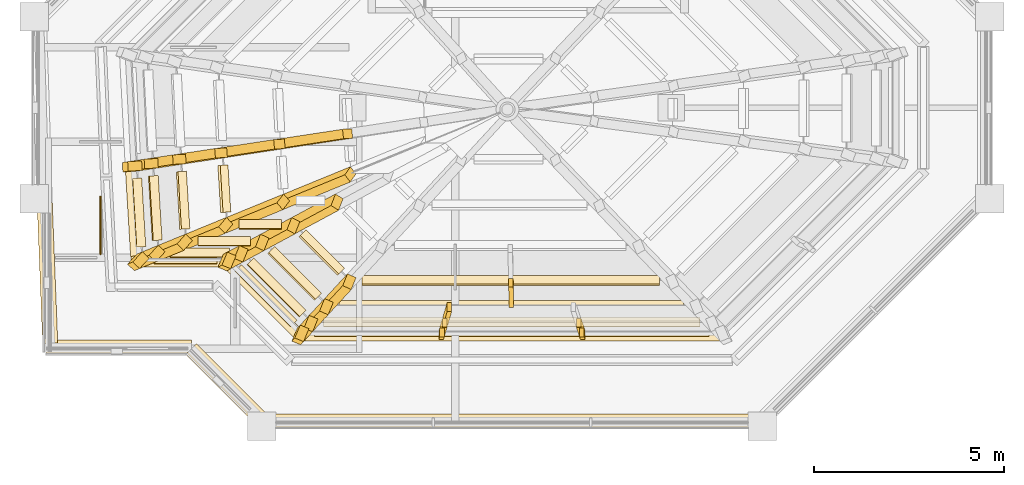
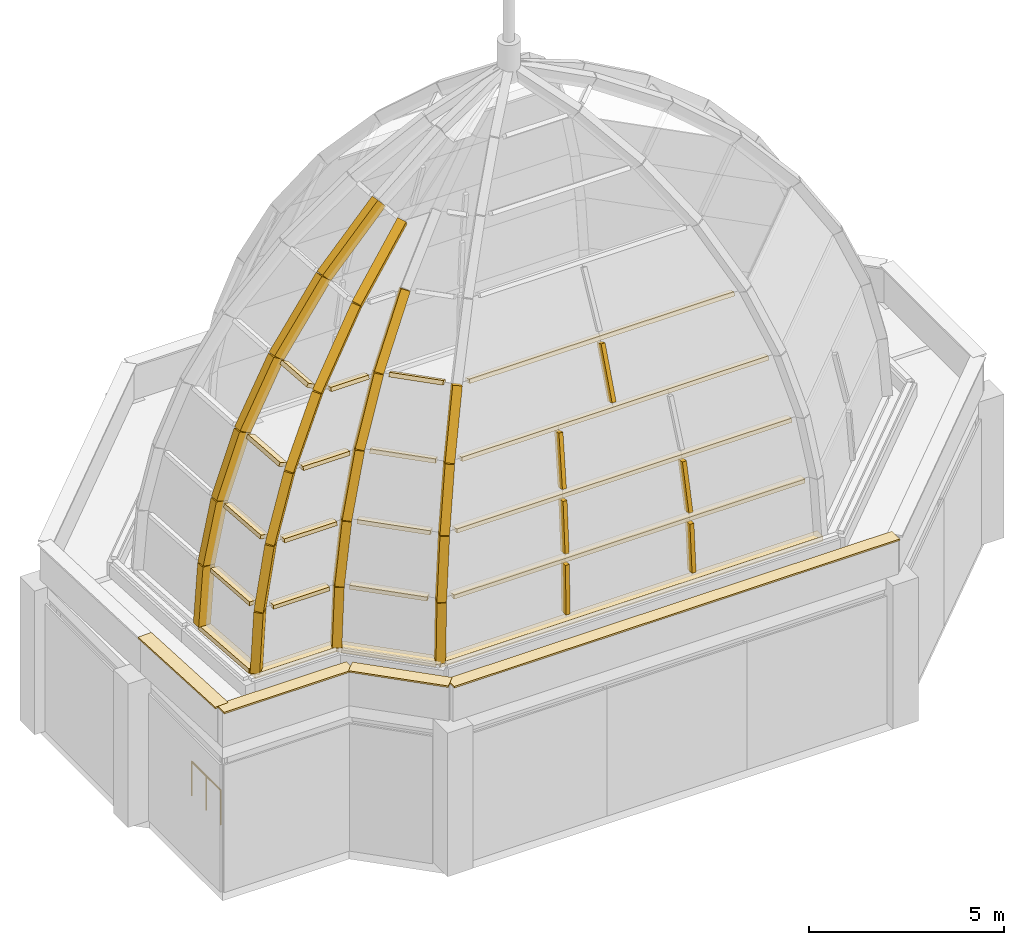
# One storey, part 6 of 9: 51 coverings, 1 railing.
"""IFC4 building model written with IfcOpenShell, lengths in metres."""

from ifc_helpers import new_model, si_unit, direction, frame, origin, origin_2d, place, context, subcontext, project, spatial, polyline, rectangle, circle, outline, extrude, material, layer, layer_set, type_object, element, save


model = new_model("IFC4")

# Units and contexts
model_context = context("Model", 3, precision=1e-05, world=origin(), true_north=direction((0.0, 1.0)))
body_context = subcontext(model_context, "Body", "Model", "MODEL_VIEW")
ifc_project = project(units=[si_unit("LENGTHUNIT", "METRE"), si_unit("AREAUNIT", "SQUARE_METRE"), si_unit("VOLUMEUNIT", "CUBIC_METRE"), si_unit("PLANEANGLEUNIT", "RADIAN"), si_unit("MASSUNIT", "GRAM", prefix="KILO")], contexts=[model_context])

# Site, building, storey
site_placement = place(None, origin())
site = spatial("IfcSite", under=ifc_project, at=site_placement, CompositionType="ELEMENT")
building_placement = place(site_placement, origin())
building = spatial("IfcBuilding", under=site, at=building_placement, Name="Kawkab Arch Medical Tower", CompositionType="ELEMENT")
storey_placement = place(building_placement, frame((0.0, 0.0, 359.199951171875)))
storey = spatial("IfcBuildingStorey", under=building, at=storey_placement, Name="L83", CompositionType="ELEMENT", Elevation=359.199951171875)

# Coverings
ifc_material_1 = material(Name="Bronze painted steel hip rib", Category="steel")
ifc_layer_1 = layer(ifc_material_1, 0.3701171875)
ifc_layer_set_1 = layer_set([ifc_layer_1], Name="Bronze painted steel hip rib")
covering_type_1 = type_object("IfcCoveringType", Name="Crown hip rib 250 x 370", PredefinedType="CLADDING", material=ifc_layer_set_1)
covering_1_placement = place(storey_placement, frame((2.640625, -37.895751953125, 4.662353515625), z_axis=(-0.683040468445, -0.726544969447, 0.074753768054), x_axis=(0.075940132971, 0.031149267591, 0.996625716773)))
element("IfcCovering", 1, at=covering_1_placement, inside=storey, type_object=covering_type_1, Name="Crown hip rib, peak B 1 row 1", PredefinedType="CLADDING", context=body_context, shape_type="SweptSolid", body=[
    extrude(outline(polyline([(0.0, 0.0), (1.825986295825356, 1.3877787807814457e-17), (1.8260547470638178, 0.25004695451294723), (-0.00017486558692216686, 0.2500386787045335), (0.0, 0.0)])), origin(), (0.0, 0.0, -1.0), 0.3701171875),
])
covering_2_placement = place(storey_placement, frame((5.075439453125, -37.90087890625, 4.656005859375), z_axis=(-0.381544414448, -0.922951585512, 0.050835328309), x_axis=(0.057824037256, 0.031056092529, 0.997843624939)))
element("IfcCovering", 2, at=covering_2_placement, inside=storey, type_object=covering_type_1, Name="Crown hip rib, peak B 2 row 1", PredefinedType="CLADDING", context=body_context, shape_type="SweptSolid", body=[
    extrude(outline(polyline([(0.0, 0.0), (1.8240012747765417, 0.0), (1.823872066134973, 0.25007887064176415), (0.00011440552467605752, 0.25008900724045247), (0.0, 0.0)])), origin(), (0.0, 0.0, -1.0), 0.3701171875),
])
covering_3_placement = place(storey_placement, frame((7.025390625, -39.850830078125, 4.660400390625), z_axis=(-0.38214412014, -0.922207546916, 0.059153291155), x_axis=(0.042705067551, 0.046319603049, 0.998013412524)))
element("IfcCovering", 3, at=covering_3_placement, inside=storey, type_object=covering_type_1, Name="Crown hip rib, peak B 3 row 1", PredefinedType="CLADDING", context=body_context, shape_type="SweptSolid", body=[
    extrude(outline(polyline([(0.0, 0.0), (1.8236912816342912, 6.938893903907228e-18), (1.8236433349150376, 0.24992631320179337), (-4.794671925345811e-05, 0.2499263132017934), (0.0, 0.0)])), origin(), (0.0, 0.0, -1.0), 0.3701171875),
])
covering_4_placement = place(storey_placement, frame((2.337890625, -35.292724609375, 4.66796875), z_axis=(-0.995461367379, -0.054960838435, 0.077691520099), x_axis=(0.077165369505, 0.011634636776, 0.996950420521)))
element("IfcCovering", 4, at=covering_4_placement, inside=storey, type_object=covering_type_1, Name="Crown hip rib, peak B 10 row 1", PredefinedType="CLADDING", context=body_context, shape_type="SweptSolid", body=[
    extrude(outline(polyline([(0.0, 0.0), (1.8256352579553572, 0.0), (1.8257634694828377, 0.25014905342096816), (0.0001253710399863738, 0.24990529836147699), (0.0, 0.0)])), origin(), (0.0, 0.0, -1.0), 0.3701171875),
])
covering_5_placement = place(storey_placement, frame((2.78271484375, -37.83740234375, 6.50634765625), z_axis=(-0.661054611888, -0.71681640768, 0.221767981868), x_axis=(0.2253542727, 0.092243088256, 0.969900337378)))
element("IfcCovering", 5, at=covering_5_placement, inside=storey, type_object=covering_type_1, Name="Crown hip rib, peak B 1 row 2", PredefinedType="CLADDING", context=body_context, shape_type="SweptSolid", body=[
    extrude(outline(polyline([(0.0, 0.0), (1.8763064122805804, 2.7755575615628914e-17), (1.8765488584923522, 0.25009439611931883), (5.6541372166138415e-06, 0.2500698453572813), (0.0, 0.0)])), origin(), (0.0, 0.0, -1.0), 0.3701171875),
])
covering_6_placement = place(storey_placement, frame((5.1806640625, -37.84375, 6.48828125), z_axis=(-0.375482206601, -0.914049319291, 0.153384987631), x_axis=(0.17320610832, 0.093376110028, 0.980449155294)))
element("IfcCovering", 6, at=covering_6_placement, inside=storey, type_object=covering_type_1, Name="Crown hip rib, peak B 2 row 2", PredefinedType="CLADDING", context=body_context, shape_type="SweptSolid", body=[
    extrude(outline(polyline([(0.0, 0.0), (1.856361800657701, -2.7755575615628914e-17), (1.8563208946675989, 0.24989745563369217), (-4.09059901022267e-05, 0.2498974556336922), (0.0, 0.0)])), origin(), (0.0, 0.0, -1.0), 0.3701171875),
])
covering_7_placement = place(storey_placement, frame((7.10400390625, -39.7646484375, 6.5009765625), z_axis=(-0.374742113337, -0.909953324504, 0.177632473711), x_axis=(0.128033536503, 0.138966441369, 0.98198561176)))
element("IfcCovering", 7, at=covering_7_placement, inside=storey, type_object=covering_type_1, Name="Crown hip rib, peak B 3 row 2", PredefinedType="CLADDING", context=body_context, shape_type="SweptSolid", body=[
    extrude(outline(polyline([(0.0, 0.0), (1.8534572580069404, 0.0), (1.8534685135271751, 0.24992607905849387), (1.1255520234558503e-05, 0.24992607905849387), (0.0, 0.0)])), origin(), (0.0, 0.0, -1.0), 0.3701171875),
])
covering_8_placement = place(storey_placement, frame((2.484619140625, -35.27099609375, 6.5234375), z_axis=(-0.971452552916, -0.053960582947, 0.231015568568), x_axis=(0.229380263575, 0.034837616823, 0.972713233762)))
element("IfcCovering", 8, at=covering_8_placement, inside=storey, type_object=covering_type_1, Name="Crown hip rib, peak B 10 row 2", PredefinedType="CLADDING", context=body_context, shape_type="SweptSolid", body=[
    extrude(outline(polyline([(0.0, 0.0), (1.8711253185436318, 1.3877787807814457e-17), (1.8711211136873174, 0.25002813177417893), (-4.20485631420775e-06, 0.25002813177417893), (0.0, 0.0)])), origin(), (0.0, 0.0, -1.0), 0.3701171875),
])
covering_9_placement = place(storey_placement, frame((3.21240234375, -37.6611328125, 8.349365234375), z_axis=(-0.617995621354, -0.69784070363, 0.362077014382), x_axis=(0.367633231502, 0.150581501101, 0.917698762461)))
element("IfcCovering", 9, at=covering_9_placement, inside=storey, type_object=covering_type_1, Name="Crown hip rib, peak B 1 row 3", PredefinedType="CLADDING", context=body_context, shape_type="SweptSolid", body=[
    extrude(outline(polyline([(0.0, 0.0), (1.9830177198467276, -1.6653345369377348e-16), (1.9832015823429543, 0.24991146146629095), (-0.00012993926011187207, 0.2500412072977959), (0.0, 0.0)])), origin(), (0.0, 0.0, -1.0), 0.3701171875),
])
covering_10_placement = place(storey_placement, frame((5.501953125, -37.669189453125, 8.321533203125), z_axis=(-0.36244632259, -0.895784673719, 0.257298429011), x_axis=(0.287883026409, 0.154966133563, 0.945044369622)))
element("IfcCovering", 10, at=covering_10_placement, inside=storey, type_object=covering_type_1, Name="Crown hip rib, peak B 2 row 3", PredefinedType="CLADDING", context=body_context, shape_type="SweptSolid", body=[
    extrude(outline(polyline([(0.0, 0.0), (1.9256998695030096, 1.1102230246251565e-16), (1.9257589440708893, 0.2500253148665289), (-6.353168447605084e-05, 0.2498613638421722), (0.0, 0.0)])), origin(), (0.0, 0.0, -1.0), 0.3701171875),
])
covering_11_placement = place(storey_placement, frame((7.343017578125, -39.50341796875, 8.34228515625), z_axis=(-0.36102579837, -0.884067627877, 0.296790839231), x_axis=(0.213349497977, 0.231513931351, 0.949148719276)))
element("IfcCovering", 11, at=covering_11_placement, inside=storey, type_object=covering_type_1, Name="Crown hip rib, peak B 3 row 3", PredefinedType="CLADDING", context=body_context, shape_type="SweptSolid", body=[
    extrude(outline(polyline([(0.0, 0.0), (1.917627270981415, 2.7755575615628914e-17), (1.9174373689684174, 0.24999964325433935), (-8.129277732208187e-05, 0.24987712481683216), (0.0, 0.0)])), origin(), (0.0, 0.0, -1.0), 0.3701171875),
])
covering_12_placement = place(storey_placement, frame((2.92529296875, -35.205078125, 8.377685546875), z_axis=(-0.92399733864, -0.050834530484, 0.379004971864), x_axis=(0.376171705528, 0.057305577352, 0.924776145218)))
element("IfcCovering", 12, at=covering_12_placement, inside=storey, type_object=covering_type_1, Name="Crown hip rib, peak B 10 row 3", PredefinedType="CLADDING", context=body_context, shape_type="SweptSolid", body=[
    extrude(outline(polyline([(0.0, 0.0), (1.9681665337412675, 1.3877787807814457e-17), (1.968014271222694, 0.24977213172024038), (-4.643310380769358e-05, 0.2499987752709756), (0.0, 0.0)])), origin(), (0.0, 0.0, -1.0), 0.3701171875),
])
covering_13_placement = place(storey_placement, frame((3.950927734375, -37.35791015625, 10.191162109375), z_axis=(-0.557488428514, -0.667891995055, 0.493079035262), x_axis=(0.499517252321, 0.204531977925, 0.841813034254)))
element("IfcCovering", 13, at=covering_13_placement, inside=storey, type_object=covering_type_1, Name="Crown hip rib, peak B 1 row 4", PredefinedType="CLADDING", context=body_context, shape_type="SweptSolid", body=[
    extrude(outline(polyline([(0.0, 0.0), (2.161778949308243, 5.551115123125783e-17), (2.161817440079701, 0.2500451723658293), (-0.00021696455378138885, 0.24981685159588232), (0.0, 0.0)])), origin(), (0.0, 0.0, -1.0), 0.3701171875),
])
covering_14_placement = place(storey_placement, frame((6.056396484375, -37.368408203125, 10.156005859375), z_axis=(-0.342408302449, -0.865858292971, 0.364754672221), x_axis=(0.401378003945, 0.216209269823, 0.89002766788)))
element("IfcCovering", 14, at=covering_14_placement, inside=storey, type_object=covering_type_1, Name="Crown hip rib, peak B 2 row 4", PredefinedType="CLADDING", context=body_context, shape_type="SweptSolid", body=[
    extrude(outline(polyline([(0.0, 0.0), (2.044957055897753, 1.1102230246251565e-16), (2.0449320476536577, 0.25002002510781013), (-2.5008244094806842e-05, 0.2500200251078101), (0.0, 0.0)])), origin(), (0.0, 0.0, -1.0), 0.3701171875),
])
covering_15_placement = place(storey_placement, frame((7.7548828125, -39.05322265625, 10.18408203125), z_axis=(-0.339561615828, -0.842907372928, 0.417378808423), x_axis=(0.298722221449, 0.324127456728, 0.897611511851)))
element("IfcCovering", 15, at=covering_15_placement, inside=storey, type_object=covering_type_1, Name="Crown hip rib, peak B 3 row 4", PredefinedType="CLADDING", context=body_context, shape_type="SweptSolid", body=[
    extrude(outline(polyline([(0.0, 0.0), (2.027679386175947, 5.551115123125783e-17), (2.0276153333864126, 0.25017218991914464), (-6.405278953419691e-05, 0.25017218991914464), (0.0, 0.0)])), origin(), (0.0, 0.0, -1.0), 0.3701171875),
])
covering_16_placement = place(storey_placement, frame((3.6826171875, -35.09130859375, 10.2294921875), z_axis=(-0.853770563317, -0.046732054177, 0.518547915168), x_axis=(0.514392271358, 0.07823383943, 0.853978956143)))
element("IfcCovering", 16, at=covering_16_placement, inside=storey, type_object=covering_type_1, Name="Crown hip rib, peak B 10 row 4", PredefinedType="CLADDING", context=body_context, shape_type="SweptSolid", body=[
    extrude(outline(polyline([(0.0, 0.0), (2.13134338892725, 0.0), (2.131209270222582, 0.24983418639993737), (-8.534654043840934e-06, 0.24981453889379085), (0.0, 0.0)])), origin(), (0.0, 0.0, -1.0), 0.3701171875),
])
covering_17_placement = place(storey_placement, frame((5.04248046875, -36.909423828125, 12.03173828125), z_axis=(-0.480483095004, -0.627088679796, 0.613103403259), x_axis=(0.618522559536, 0.253309200729, 0.743817378239)))
element("IfcCovering", 17, at=covering_17_placement, inside=storey, type_object=covering_type_1, Name="Crown hip rib, peak B 1 row 5", PredefinedType="CLADDING", context=body_context, shape_type="SweptSolid", body=[
    extrude(outline(polyline([(0.0, 0.0), (2.4467256212431066, 1.6653345369377348e-16), (2.4467398817862644, 0.2500283239614446), (-0.00010549242986663404, 0.2501431804691922), (0.0, 0.0)])), origin(), (0.0, 0.0, -1.0), 0.3701171875),
])
covering_18_placement = place(storey_placement, frame((6.87744140625, -36.92236328125, 11.9931640625), z_axis=(-0.31286049816, -0.821090138334, 0.477419410394), x_axis=(0.513619554233, 0.27656004342, 0.812225027867)))
element("IfcCovering", 18, at=covering_18_placement, inside=storey, type_object=covering_type_1, Name="Crown hip rib, peak B 2 row 5", PredefinedType="CLADDING", context=body_context, shape_type="SweptSolid", body=[
    extrude(outline(polyline([(0.0, 0.0), (2.2407835819336888, 0.0), (2.240670669793082, 0.25023563933224025), (-0.00018043168245715502, 0.25011373379718527), (0.0, 0.0)])), origin(), (0.0, 0.0, -1.0), 0.3701171875),
])
covering_19_placement = place(storey_placement, frame((4.80126953125, -34.92333984375, 12.078369140625), z_axis=(-0.760760921332, -0.041950300724, 0.647675067332), x_axis=(0.642013560064, 0.097719890458, 0.760440274909)))
element("IfcCovering", 19, at=covering_19_placement, inside=storey, type_object=covering_type_1, Name="Crown hip rib, peak B 10 row 5", PredefinedType="CLADDING", context=body_context, shape_type="SweptSolid", body=[
    extrude(outline(polyline([(0.0, 0.0), (2.3934402469589857, 0.0), (2.393611731325243, 0.2499356791048013), (0.00017148436625682648, 0.24993567910480127), (0.0, 0.0)])), origin(), (0.0, 0.0, -1.0), 0.3701171875),
])
covering_20_placement = place(storey_placement, frame((6.568359375, -36.281494140625, 13.87060546875), z_axis=(-0.396645593143, -0.574775773703, 0.715754904562), x_axis=(0.716623728293, 0.29340644292, 0.632742515799)))
element("IfcCovering", 20, at=covering_20_placement, inside=storey, type_object=covering_type_1, Name="Crown hip rib, peak B 1 row 6", PredefinedType="CLADDING", context=body_context, shape_type="SweptSolid", body=[
    extrude(outline(polyline([(0.0, 0.0), (2.465525851559614, 5.551115123125783e-17), (2.465320120577763, 0.2499875163260903), (-0.00010240644928873055, 0.2496609553767834), (0.0, 0.0)])), origin(), (0.0, 0.0, -1.0), 0.3701171875),
])
covering_21_placement = place(storey_placement, frame((6.363525390625, -34.68798828125, 13.92236328125), z_axis=(-0.652630024849, -0.036474493166, 0.756798296783), x_axis=(0.749645824741, 0.113958864023, 0.651954380887)))
element("IfcCovering", 21, at=covering_21_placement, inside=storey, type_object=covering_type_1, Name="Crown hip rib, peak B 10 row 6", PredefinedType="CLADDING", context=body_context, shape_type="SweptSolid", body=[
    extrude(outline(polyline([(0.0, 0.0), (2.3929878088829293, 2.7755575615628914e-17), (2.3929615335491334, 0.25009366688024925), (0.00015674366638557778, 0.2500668056547107), (0.0, 0.0)])), origin(), (0.0, 0.0, -1.0), 0.3701171875),
])
ifc_material_2 = material(Name="Bronze anodised aluminium joint bar", Category="aluminium")
ifc_layer_2 = layer(ifc_material_2, 0.239990234375)
ifc_layer_set_2 = layer_set([ifc_layer_2], Name="Bronze anodised aluminium joint bar")
covering_type_2 = type_object("IfcCoveringType", Name="Crown joint bar 120 x 240", PredefinedType="CLADDING", material=ifc_layer_set_2)
covering_22_placement = place(storey_placement, frame((3.163818359375, -37.715087890625, 6.413818359375), z_axis=(0.0, -0.999469480592, 0.032569270243), x_axis=(1.0, 0.0, 0.0)))
element("IfcCovering", 22, at=covering_22_placement, inside=storey, type_object=covering_type_2, Name="Crown joint bar, peak B face 1 ring 1", PredefinedType="CLADDING", context=body_context, shape_type="SweptSolid", body=[
    extrude(outline(polyline([(0.0, 0.0), (1.66064453125, 0.0), (1.66064453125, 0.11993667560908318), (0.0, 0.11993667560908318), (0.0, 0.0)])), origin(), (0.0, 0.0, -1.0), 0.239990234375),
])
covering_23_placement = place(storey_placement, frame((5.2919921875, -37.910400390625, 6.417724609375), z_axis=(-0.705747137817, -0.705688242119, 0.062650478036), x_axis=(0.707077390574, -0.707136170572, 2.609113e-06)))
element("IfcCovering", 23, at=covering_23_placement, inside=storey, type_object=covering_type_2, Name="Crown joint bar, peak B face 2 ring 1", PredefinedType="CLADDING", context=body_context, shape_type="SweptSolid", body=[
    extrude(outline(polyline([(0.0, 0.0), (2.068494493366704, -1.3877787807814457e-17), (2.068667130445851, 0.11985896830321176), (-3.587496669209408e-09, 0.11986978387398864), (0.0, 0.0)])), origin(), (0.0, 0.0, -1.0), 0.239990234375),
])
covering_24_placement = place(storey_placement, frame((7.39697265625, -39.63818359375, 6.41552734375), z_axis=(0.0, -0.999001761106, 0.044670810456), x_axis=(1.0, 0.0, 0.0)))
element("IfcCovering", 24, at=covering_24_placement, inside=storey, type_object=covering_type_2, Name="Crown joint bar, peak B face 3 ring 1", PredefinedType="CLADDING", context=body_context, shape_type="SweptSolid", body=[
    extrude(outline(polyline([(0.0, 0.0), (10.40283203125, 0.0), (10.40283203125, 0.12023721296246619), (0.0, 0.12023721296246619), (0.0, 0.0)])), origin(), (0.0, 0.0, -1.0), 0.239990234375),
])
covering_25_placement = place(storey_placement, frame((2.586181640625, -35.46630859375, 6.41943359375), z_axis=(-0.99519429051, -0.059871404002, 0.07748379908), x_axis=(0.060051919262, -0.998195254944, -3.12294e-07)))
element("IfcCovering", 25, at=covering_25_placement, inside=storey, type_object=covering_type_2, Name="Crown joint bar, peak B face 10 ring 1", PredefinedType="CLADDING", context=body_context, shape_type="SweptSolid", body=[
    extrude(outline(polyline([(0.0, 0.0), (1.8133307558950615, 0.0), (1.8131567407932931, 0.11999020970379129), (6.968491164590467e-05, 0.11998907378092667), (0.0, 0.0)])), origin(), (0.0, 0.0, -1.0), 0.239990234375),
])
covering_26_placement = place(storey_placement, frame((3.58642578125, -37.545166015625, 8.24169921875), z_axis=(0.0, -0.995604611724, 0.093656057545), x_axis=(1.0, 0.0, 0.0)))
element("IfcCovering", 26, at=covering_26_placement, inside=storey, type_object=covering_type_2, Name="Crown joint bar, peak B face 1 ring 2", PredefinedType="CLADDING", context=body_context, shape_type="SweptSolid", body=[
    extrude(outline(polyline([(0.0, 0.0), (1.5595703125, 0.0), (1.5595703125, 0.11991182465328808), (0.0, 0.11991182465328808), (0.0, 0.0)])), origin(), (0.0, 0.0, -1.0), 0.239990234375),
])
covering_27_placement = place(storey_placement, frame((5.609619140625, -37.7412109375, 8.253662109375), z_axis=(-0.694512451791, -0.694389453039, 0.188350051276), x_axis=(0.707044158063, -0.707169398764, -1.451e-09)))
element("IfcCovering", 27, at=covering_27_placement, inside=storey, type_object=covering_type_2, Name="Crown joint bar, peak B face 2 ring 2", PredefinedType="CLADDING", context=body_context, shape_type="SweptSolid", body=[
    extrude(outline(polyline([(0.0, 0.0), (1.9492047601782612, 2.7755575615628914e-17), (1.949375390747528, 0.1200689231942735), (-0.00017463641238047936, 0.1200689174347257), (0.0, 0.0)])), origin(), (0.0, 0.0, -1.0), 0.239990234375),
])
covering_28_placement = place(storey_placement, frame((7.634033203125, -39.385498046875, 8.24755859375), z_axis=(0.0, -0.990071354936, 0.140565686195), x_axis=(1.0, 0.0, 0.0)))
element("IfcCovering", 28, at=covering_28_placement, inside=storey, type_object=covering_type_2, Name="Crown joint bar, peak B face 3 ring 2", PredefinedType="CLADDING", context=body_context, shape_type="SweptSolid", body=[
    extrude(outline(polyline([(0.0, 0.0), (9.918212890625, 0.0), (9.918212890625, 0.11984221456208076), (0.0, 0.11984221456208076), (0.0, 0.0)])), origin(), (0.0, 0.0, -1.0), 0.239990234375),
])
covering_29_placement = place(storey_placement, frame((3.00927734375, -35.4013671875, 8.259521484375), z_axis=(-0.971106533512, -0.058434940946, 0.231381629016), x_axis=(0.060060870274, -0.998194716261, -1.7053067e-05)))
element("IfcCovering", 29, at=covering_29_placement, inside=storey, type_object=covering_type_2, Name="Crown joint bar, peak B face 10 ring 2", PredefinedType="CLADDING", context=body_context, shape_type="SweptSolid", body=[
    extrude(outline(polyline([(0.0, 0.0), (1.7052194986366225, 0.0), (1.7051832254021466, 0.11998430371360173), (0.00019276334901701802, 0.11992452701983254), (0.0, 0.0)])), origin(), (0.0, 0.0, -1.0), 0.239990234375),
])
covering_30_placement = place(storey_placement, frame((4.315673828125, -37.24951171875, 10.0703125), z_axis=(0.0, -0.986992254823, 0.160767810579), x_axis=(1.0, 0.0, 0.0)))
element("IfcCovering", 30, at=covering_30_placement, inside=storey, type_object=covering_type_2, Name="Crown joint bar, peak B face 1 ring 3", PredefinedType="CLADDING", context=body_context, shape_type="SweptSolid", body=[
    extrude(outline(polyline([(0.0, 0.0), (1.384765625, 0.0), (1.384765625, 0.11996872573856267), (0.0, 0.11996872573856267), (0.0, 0.0)])), origin(), (0.0, 0.0, -1.0), 0.239990234375),
])
covering_31_placement = place(storey_placement, frame((6.161376953125, -37.4453125, 10.0908203125), z_axis=(-0.67135385207, -0.671287387972, 0.314097513616), x_axis=(0.707075230207, -0.707138330605, 1.4761708e-05)))
element("IfcCovering", 31, at=covering_31_placement, inside=storey, type_object=covering_type_2, Name="Crown joint bar, peak B face 2 ring 3", PredefinedType="CLADDING", context=body_context, shape_type="SweptSolid", body=[
    extrude(outline(polyline([(0.0, 0.0), (1.7435982622307056, -5.551115123125783e-17), (1.7435982660818576, 0.12006430039237737), (-0.00017263734284327702, 0.12011852414288446), (0.0, 0.0)])), origin(), (0.0, 0.0, -1.0), 0.239990234375),
])
covering_32_placement = place(storey_placement, frame((8.04296875, -38.945068359375, 10.080078125), z_axis=(0.0, -0.971326048848, 0.237751355053), x_axis=(1.0, 0.0, 0.0)))
element("IfcCovering", 32, at=covering_32_placement, inside=storey, type_object=covering_type_2, Name="Crown joint bar, peak B face 3 ring 3", PredefinedType="CLADDING", context=body_context, shape_type="SweptSolid", body=[
    extrude(outline(polyline([(0.0, 0.0), (9.082275390625, 0.0), (9.082275390625, 0.12014422848889027), (0.0, 0.12014422848889027), (0.0, 0.0)])), origin(), (0.0, 0.0, -1.0), 0.239990234375),
])
covering_33_placement = place(storey_placement, frame((3.746337890625, -35.2890625, 10.10009765625), z_axis=(-0.923446417946, -0.055614969454, 0.379675767405), x_axis=(0.060116517087, -0.998191366609, 0.0)))
element("IfcCovering", 33, at=covering_33_placement, inside=storey, type_object=covering_type_2, Name="Crown joint bar, peak B face 10 ring 3", PredefinedType="CLADDING", context=body_context, shape_type="SweptSolid", body=[
    extrude(outline(polyline([(0.0, 0.0), (1.518860342781799, 0.0), (1.5189095535106878, 0.11981136420847485), (4.92107288886383e-05, 0.11981136420847487), (0.0, 0.0)])), origin(), (0.0, 0.0, -1.0), 0.239990234375),
])
covering_34_placement = place(storey_placement, frame((5.3955078125, -36.81005859375, 11.900146484375), z_axis=(0.0, -0.971680245626, 0.236299598517), x_axis=(1.0, 0.0, 0.0)))
element("IfcCovering", 34, at=covering_34_placement, inside=storey, type_object=covering_type_2, Name="Crown joint bar, peak B face 1 ring 4", PredefinedType="CLADDING", context=body_context, shape_type="SweptSolid", body=[
    extrude(outline(polyline([(0.0, 0.0), (1.125732421875, 0.0), (1.125732421875, 0.11984917739057499), (0.0, 0.11984917739057499), (0.0, 0.0)])), origin(), (0.0, 0.0, -1.0), 0.239990234375),
])
covering_35_placement = place(storey_placement, frame((6.981201171875, -37.00390625, 11.928955078125), z_axis=(-0.63509155937, -0.63509155937, 0.439678771871), x_axis=(0.707106781187, -0.707106781187, 0.0)))
element("IfcCovering", 35, at=covering_35_placement, inside=storey, type_object=covering_type_2, Name="Crown joint bar, peak B face 2 ring 4", PredefinedType="CLADDING", context=body_context, shape_type="SweptSolid", body=[
    extrude(outline(polyline([(0.0, 0.0), (1.439418052132186, 0.0), (1.439418052132186, 0.120146460959088), (0.0003452669830012467, 0.120146460959088), (0.0, 0.0)])), origin(), (0.0, 0.0, -1.0), 0.239990234375),
])
covering_36_placement = place(storey_placement, frame((8.648681640625, -38.2900390625, 11.914306640625), z_axis=(0.0, -0.940680036318, 0.339294959104), x_axis=(1.0, 0.0, 0.0)))
element("IfcCovering", 36, at=covering_36_placement, inside=storey, type_object=covering_type_2, Name="Crown joint bar, peak B face 3 ring 4", PredefinedType="CLADDING", context=body_context, shape_type="SweptSolid", body=[
    extrude(outline(polyline([(0.0, 0.0), (7.844482421875, 0.0), (7.844482421875, 0.12016531127574456), (0.0, 0.12016531127574456), (0.0, 0.0)])), origin(), (0.0, 0.0, -1.0), 0.239990234375),
])
covering_37_placement = place(storey_placement, frame((4.8427734375, -35.122314453125, 11.941162109375), z_axis=(-0.85314316174, -0.051369895217, 0.519141483068), x_axis=(0.060103659016, -0.998192140909, 0.0)))
element("IfcCovering", 37, at=covering_37_placement, inside=storey, type_object=covering_type_2, Name="Crown joint bar, peak B face 10 ring 4", PredefinedType="CLADDING", context=body_context, shape_type="SweptSolid", body=[
    extrude(outline(polyline([(0.0, 0.0), (1.242969770449082, -6.938893903907228e-18), (1.2427977135973884, 0.11968681418286534), (-0.00017205685169385414, 0.11968681418286534), (0.0, 0.0)])), origin(), (0.0, 0.0, -1.0), 0.239990234375),
])
covering_38_placement = place(storey_placement, frame((10.79345703125, -39.71240234375, 4.814697265625), z_axis=(0.000613160964, -0.998926592743, 0.04631723593), x_axis=(0.013653701347, 0.046321290055, 0.998833276642)))
element("IfcCovering", 38, at=covering_38_placement, inside=storey, type_object=covering_type_2, Name="Crown joint bar, peak B face 3 row 1 joint 1", PredefinedType="CLADDING", context=body_context, shape_type="SweptSolid", body=[
    extrude(outline(polyline([(0.0, 0.0), (1.501996817271293, -3.469446951953614e-18), (1.5020670969527483, 0.1198852076925634), (-0.00017357609897499936, 0.11988187091332231), (0.0, 0.0)])), origin(), (0.0, 0.0, -1.0), 0.239990234375),
])
covering_39_placement = place(storey_placement, frame((14.526123046875, -39.71240234375, 4.81640625), z_axis=(-0.000706734036, -0.998926651418, 0.046314637142), x_axis=(-0.015441284499, 0.046320028073, 0.998807299599)))
element("IfcCovering", 39, at=covering_39_placement, inside=storey, type_object=covering_type_2, Name="Crown joint bar, peak B face 3 row 1 joint 2", PredefinedType="CLADDING", context=body_context, shape_type="SweptSolid", body=[
    extrude(outline(polyline([(0.0, 0.0), (1.5020358852696154, 0.0), (1.502183702866327, 0.12012925321301071), (-9.980168651550314e-05, 0.11988891554701099), (0.0, 0.0)])), origin(), (0.0, 0.0, -1.0), 0.239990234375),
])
covering_40_placement = place(storey_placement, frame((10.82275390625, -39.6123046875, 6.642822265625), z_axis=(0.000522399171, -0.990137997833, 0.14009451219), x_axis=(0.040966988916, 0.139998112058, 0.989303914093)))
element("IfcCovering", 40, at=covering_40_placement, inside=storey, type_object=covering_type_2, Name="Crown joint bar, peak B face 3 row 2 joint 1", PredefinedType="CLADDING", context=body_context, shape_type="SweptSolid", body=[
    extrude(outline(polyline([(0.0, 0.0), (1.519657822451078, -6.938893903907228e-18), (1.519680107866204, 0.11997464066617906), (-0.00025342308735213075, 0.11996344473208159), (0.0, 0.0)])), origin(), (0.0, 0.0, -1.0), 0.239990234375),
])
covering_41_placement = place(storey_placement, frame((14.492919921875, -39.611572265625, 6.64794921875), z_axis=(-0.000509406782, -0.990147914408, 0.140024455355), x_axis=(-0.046738750126, 0.139895021855, 0.98906262294)))
element("IfcCovering", 41, at=covering_41_placement, inside=storey, type_object=covering_type_2, Name="Crown joint bar, peak B face 3 row 2 joint 2", PredefinedType="CLADDING", context=body_context, shape_type="SweptSolid", body=[
    extrude(outline(polyline([(0.0, 0.0), (1.5200432549771892, 0.0), (1.5199896907483446, 0.12000671563232823), (-5.356422884453087e-05, 0.12000671563232823), (0.0, 0.0)])), origin(), (0.0, 0.0, -1.0), 0.239990234375),
])
covering_42_placement = place(storey_placement, frame((10.902587890625, -39.337890625, 8.469482421875), z_axis=(0.0003427598, -0.971504769719, 0.237019756413), x_axis=(0.069582506316, 0.236468452225, 0.969144440172)))
element("IfcCovering", 42, at=covering_42_placement, inside=storey, type_object=covering_type_2, Name="Crown joint bar, peak B face 3 row 3 joint 1", PredefinedType="CLADDING", context=body_context, shape_type="SweptSolid", body=[
    extrude(outline(polyline([(0.0, 0.0), (1.5578405139741263, -2.7755575615628914e-17), (1.5580059553761185, 0.12017585792562901), (-5.4178210765682897e-05, 0.1199157854330085), (0.0, 0.0)])), origin(), (0.0, 0.0, -1.0), 0.239990234375),
])
covering_43_placement = place(storey_placement, frame((12.64306640625, -38.87255859375, 10.3017578125), z_axis=(0.000796670081, -0.940519542888, 0.339738656562), x_axis=(-0.006801841661, 0.339725808751, 0.940499925475)))
element("IfcCovering", 43, at=covering_43_placement, inside=storey, type_object=covering_type_2, Name="Crown joint bar, peak B face 3 row 4 joint 1", PredefinedType="CLADDING", context=body_context, shape_type="SweptSolid", body=[
    extrude(outline(polyline([(0.0, 0.0), (1.6151856047979738, 0.0), (1.615147898426721, 0.1201203521998588), (4.357389414998906e-05, 0.1198754702011874), (0.0, 0.0)])), origin(), (0.0, 0.0, -1.0), 0.239990234375),
])
ifc_material_3 = material(Name="Bronze anodised aluminium sill", Category="aluminium")
ifc_layer_3 = layer(ifc_material_3, 0.14990234375)
ifc_layer_set_3 = layer_set([ifc_layer_3], Name="Bronze anodised aluminium sill")
covering_type_3 = type_object("IfcCoveringType", Name="Crown sill 300 x 150", PredefinedType="CLADDING", material=ifc_layer_set_3)
covering_44_placement = place(storey_placement, frame((3.83251953125, -37.64990234375, 4.5), z_axis=(0.0, 0.0, 1.0), x_axis=(1.0, 0.0, 0.0)))
element("IfcCovering", 44, at=covering_44_placement, inside=storey, type_object=covering_type_3, Name="Crown sill, peak B 1", PredefinedType="CLADDING", context=body_context, shape_type="SweptSolid", body=[
    extrude(rectangle(XDim=2.547607421875, YDim=0.300048828125, at=origin_2d()), origin(), (0.0, 0.0, 1.0), 0.14990234375),
])
covering_45_placement = place(storey_placement, frame((6.01904296875, -38.625, 4.5), z_axis=(0.0, 0.0, 1.0), x_axis=(0.707106781187, -0.707106781187, 0.0)))
element("IfcCovering", 45, at=covering_45_placement, inside=storey, type_object=covering_type_3, Name="Crown sill, peak B 2", PredefinedType="CLADDING", context=body_context, shape_type="SweptSolid", body=[
    extrude(rectangle(XDim=2.633544921875, YDim=0.300048828125, at=origin_2d()), origin(), (0.0, 0.0, 1.0), 0.14990234375),
])
covering_46_placement = place(storey_placement, frame((12.60009765625, -39.60009765625, 4.5), z_axis=(0.0, 0.0, 1.0), x_axis=(1.0, 0.0, 0.0)))
element("IfcCovering", 46, at=covering_46_placement, inside=storey, type_object=covering_type_3, Name="Crown sill, peak B 3", PredefinedType="CLADDING", context=body_context, shape_type="SweptSolid", body=[
    extrude(rectangle(XDim=11.336181640625, YDim=0.300048828125, at=origin_2d()), origin(), (0.0, 0.0, 1.0), 0.14990234375),
])
covering_47_placement = place(storey_placement, frame((2.620849609375, -36.332763671875, 4.5), z_axis=(0.0, 0.0, 1.0), x_axis=(0.060033460882, -0.998196365238, 0.0)))
element("IfcCovering", 47, at=covering_47_placement, inside=storey, type_object=covering_type_3, Name="Crown sill, peak B 10", PredefinedType="CLADDING", context=body_context, shape_type="SweptSolid", body=[
    extrude(rectangle(XDim=2.356689453125, YDim=0.300048828125, at=origin_2d()), origin(), (0.0, 0.0, 1.0), 0.14990234375),
])
ifc_material_4 = material(Name="Bronze anodised aluminium coping", Category="aluminium")
ifc_layer_4 = layer(ifc_material_4, 0.050048828125)
ifc_layer_set_4 = layer_set([ifc_layer_4], Name="Bronze anodised aluminium coping")
covering_type_4 = type_object("IfcCoveringType", Name="Parapet coping 400 x 50", PredefinedType="CLADDING", material=ifc_layer_set_4)
covering_48_placement = place(storey_placement, frame((2.229248046875, -39.925048828125, 5.60009765625), z_axis=(0.0, 0.0, 1.0), x_axis=(1.0, 0.0, 0.0)))
element("IfcCovering", 48, at=covering_48_placement, inside=storey, type_object=covering_type_4, Name="Parapet coping, crown peak B 1", PredefinedType="CLADDING", context=body_context, shape_type="SweptSolid", body=[
    extrude(rectangle(XDim=3.8486328125, YDim=0.39990234375, at=origin_2d()), origin(), (0.0, 0.0, 1.0), 0.050048828125),
])
covering_49_placement = place(storey_placement, frame((5.076904296875, -40.89990234375, 5.60009765625), z_axis=(0.0, 0.0, 1.0), x_axis=(0.707106781187, -0.707106781187, 0.0)))
element("IfcCovering", 49, at=covering_49_placement, inside=storey, type_object=covering_type_4, Name="Parapet coping, crown peak B 2", PredefinedType="CLADDING", context=body_context, shape_type="SweptSolid", body=[
    extrude(rectangle(XDim=2.654296875, YDim=0.39990234375, at=origin_2d()), origin(), (0.0, 0.0, 1.0), 0.050048828125),
])
covering_50_placement = place(storey_placement, frame((12.60009765625, -41.875, 5.60009765625), z_axis=(0.0, 0.0, 1.0), x_axis=(1.0, 0.0, 0.0)))
element("IfcCovering", 50, at=covering_50_placement, inside=storey, type_object=covering_type_4, Name="Parapet coping, crown peak B 3", PredefinedType="CLADDING", context=body_context, shape_type="SweptSolid", body=[
    extrude(rectangle(XDim=13.199951171875, YDim=0.39990234375, at=origin_2d()), origin(), (0.0, 0.0, 1.0), 0.050048828125),
])
covering_51_placement = place(storey_placement, frame((0.34765625, -37.951904296875, 5.60009765625), z_axis=(0.0, 0.0, 1.0), x_axis=(0.039167401548, -0.999232662925, 0.0)))
element("IfcCovering", 51, at=covering_51_placement, inside=storey, type_object=covering_type_4, Name="Parapet coping, crown peak B 10", PredefinedType="CLADDING", context=body_context, shape_type="SweptSolid", body=[
    extrude(rectangle(XDim=3.708984375, YDim=0.39990234375, at=origin_2d()), origin(), (0.0, 0.0, 1.0), 0.050048828125),
])

# Railing
ifc_material_5 = material(Name="Stainless steel", Category="steel")
railing_type = type_object("IfcRailingType", Name="Stair guard 1100", PredefinedType="GUARDRAIL", material=ifc_material_5)
railing_placement = place(storey_placement, frame((1.75, -37.449951171875, 0.0)))
element("IfcRailing", 52, at=railing_placement, inside=storey, type_object=railing_type, Name="L83 ST6 top well guard 1", PredefinedType="GUARDRAIL", context=body_context, shape_type="SweptSolid", body=[
    extrude(circle(Radius=0.02392578125, at=origin_2d()), frame((0.0, 0.0, 1.076171875), z_axis=(0.0, 1.0, 0.0), x_axis=(-1.0, 0.0, 0.0)), (0.0, 0.0, 1.0), 1.5),
    extrude(circle(Radius=0.02099609375, at=origin_2d()), origin(), (0.0, 0.0, 1.0), 1.052001953125),
    extrude(circle(Radius=0.02099609375, at=origin_2d()), frame((0.0, 0.75, 0.0)), (0.0, 0.0, 1.0), 1.052001953125),
    extrude(circle(Radius=0.02099609375, at=origin_2d()), frame((0.0, 1.5, 0.0)), (0.0, 0.0, 1.0), 1.052001953125),
])

save(model, "model.ifc")
